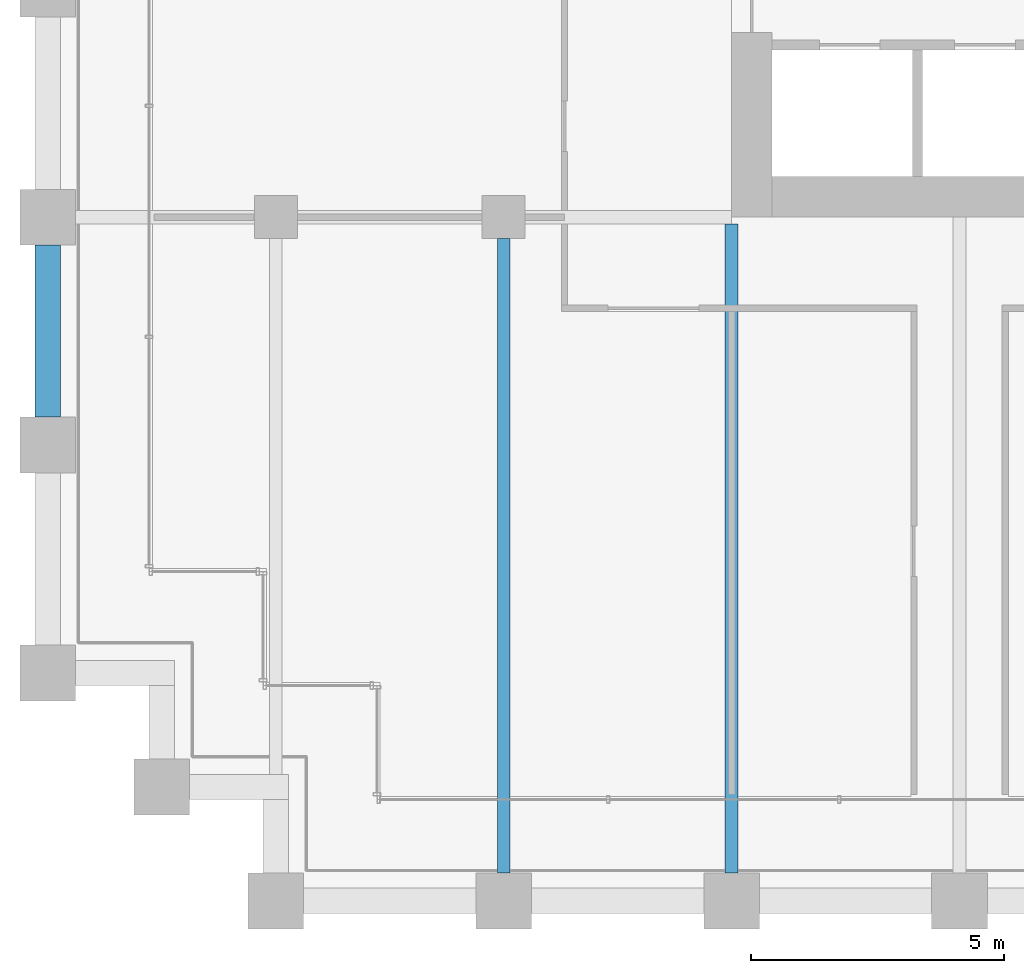
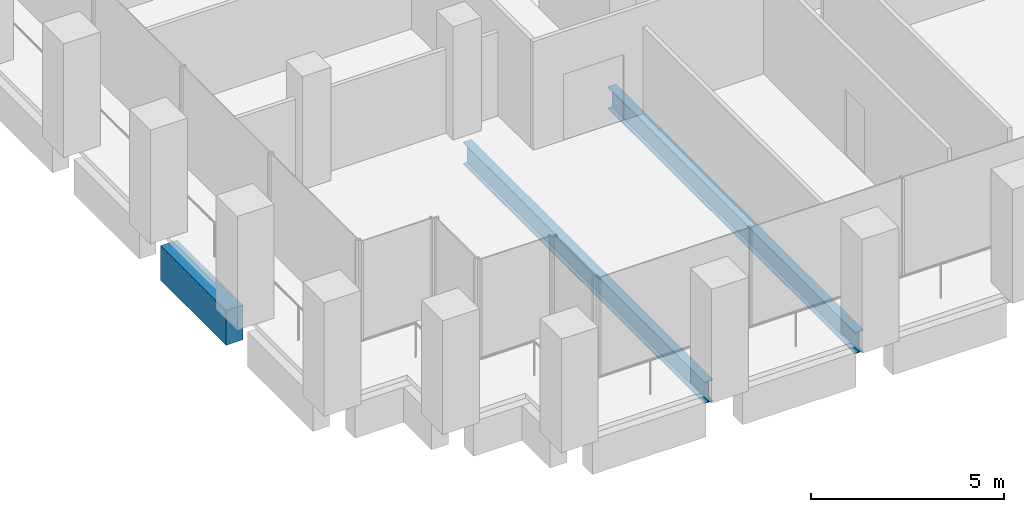
# One storey, part 4 of 56: 3 beams.
"""IFC4 building model written with IfcOpenShell, lengths in metres."""

from ifc_helpers import new_model, si_unit, direction, frame, origin, origin_2d, place, context, subcontext, project, spatial, rectangle, i_section, extrude, material, material_profile, profile_set, type_object, element, save


model = new_model("IFC4")

# Units and contexts
model_context = context("Model", 3, precision=1e-05, world=origin(), true_north=direction((0.0, 1.0)))
body_context = subcontext(model_context, "Body", "Model", "MODEL_VIEW")
ifc_project = project(units=[si_unit("LENGTHUNIT", "METRE"), si_unit("AREAUNIT", "SQUARE_METRE"), si_unit("VOLUMEUNIT", "CUBIC_METRE"), si_unit("PLANEANGLEUNIT", "RADIAN"), si_unit("MASSUNIT", "GRAM", prefix="KILO")], contexts=[model_context])

# Site, building, storey
site_placement = place(None, origin())
site = spatial("IfcSite", under=ifc_project, at=site_placement, CompositionType="ELEMENT")
building_placement = place(site_placement, origin())
building = spatial("IfcBuilding", under=site, at=building_placement, Name="Altepetl Exchange Towers", CompositionType="ELEMENT")
storey_placement = place(building_placement, frame((0.0, 0.0, 76.199951171875)))
storey = spatial("IfcBuildingStorey", under=building, at=storey_placement, Name="L18", CompositionType="ELEMENT", Elevation=76.199951171875)

# Beams
ifc_material_1 = material(Name="Steel S355", Category="steel")
ifc_material_profile_1 = material_profile(ifc_material_1, i_section(OverallWidth=0.25390625, OverallDepth=0.68408203125, WebThickness=0.012451171875, FlangeThickness=0.018798828125, at=origin_2d()), Name="W27X94")
ifc_profile_set_1 = profile_set([ifc_material_profile_1], Name="Steel S355")
beam_type_1 = type_object("IfcBeamType", Name="Floor beam W27X94", PredefinedType="BEAM", material=ifc_profile_set_1)
beam_1_placement = place(storey_placement, frame((36.0, 27.550048828125, -0.491943359375), z_axis=(0.0, 1.0, 0.0), x_axis=(-1.0, 0.0, 0.0)))
element("IfcBeam", 1, at=beam_1_placement, inside=storey, type_object=beam_type_1, Name="bm:A:L18:013", PredefinedType="BEAM", context=body_context, shape_type="SweptSolid", body=[
    extrude(i_section(OverallWidth=0.25390625, OverallDepth=0.68408203125, WebThickness=0.012451171875, FlangeThickness=0.018798828125, at=origin_2d()), origin(), (0.0, 0.0, 1.0), 12.52490234375),
])
beam_2_placement = place(storey_placement, frame((40.5, 27.550048828125, -0.491943359375), z_axis=(0.0, 1.0, 0.0), x_axis=(-1.0, 0.0, 0.0)))
element("IfcBeam", 2, at=beam_2_placement, inside=storey, type_object=beam_type_1, Name="bm:A:L18:014", PredefinedType="BEAM", context=body_context, shape_type="SweptSolid", body=[
    extrude(i_section(OverallWidth=0.25390625, OverallDepth=0.68408203125, WebThickness=0.012451171875, FlangeThickness=0.018798828125, at=origin_2d()), origin(), (0.0, 0.0, 1.0), 12.81591796875),
])
ifc_material_2 = material(Name="Concrete C50/60 precast with cantera blanca facing", Category="concrete")
ifc_material_profile_2 = material_profile(ifc_material_2, rectangle(XDim=0.5, YDim=1.10009765625, at=origin_2d()), Name="500 x 1100")
ifc_profile_set_2 = profile_set([ifc_material_profile_2], Name="Concrete C50/60 precast with cantera blanca facing")
beam_type_2 = type_object("IfcBeamType", Name="Spandrel beam 500x1100 cantera blanca", PredefinedType="SPANDREL", material=ifc_profile_set_2)
beam_3_placement = place(storey_placement, frame((27.0, 39.949951171875, -0.699951171875), z_axis=(0.0, -1.0, 0.0), x_axis=(1.0, 0.0, 0.0)))
element("IfcBeam", 3, at=beam_3_placement, inside=storey, type_object=beam_type_2, Name="sp:A:L18:042", PredefinedType="SPANDREL", context=body_context, shape_type="SweptSolid", body=[
    extrude(rectangle(XDim=0.5, YDim=1.10009765625, at=origin_2d()), origin(), (0.0, 0.0, 1.0), 3.39990234375),
])

save(model, "model.ifc")
